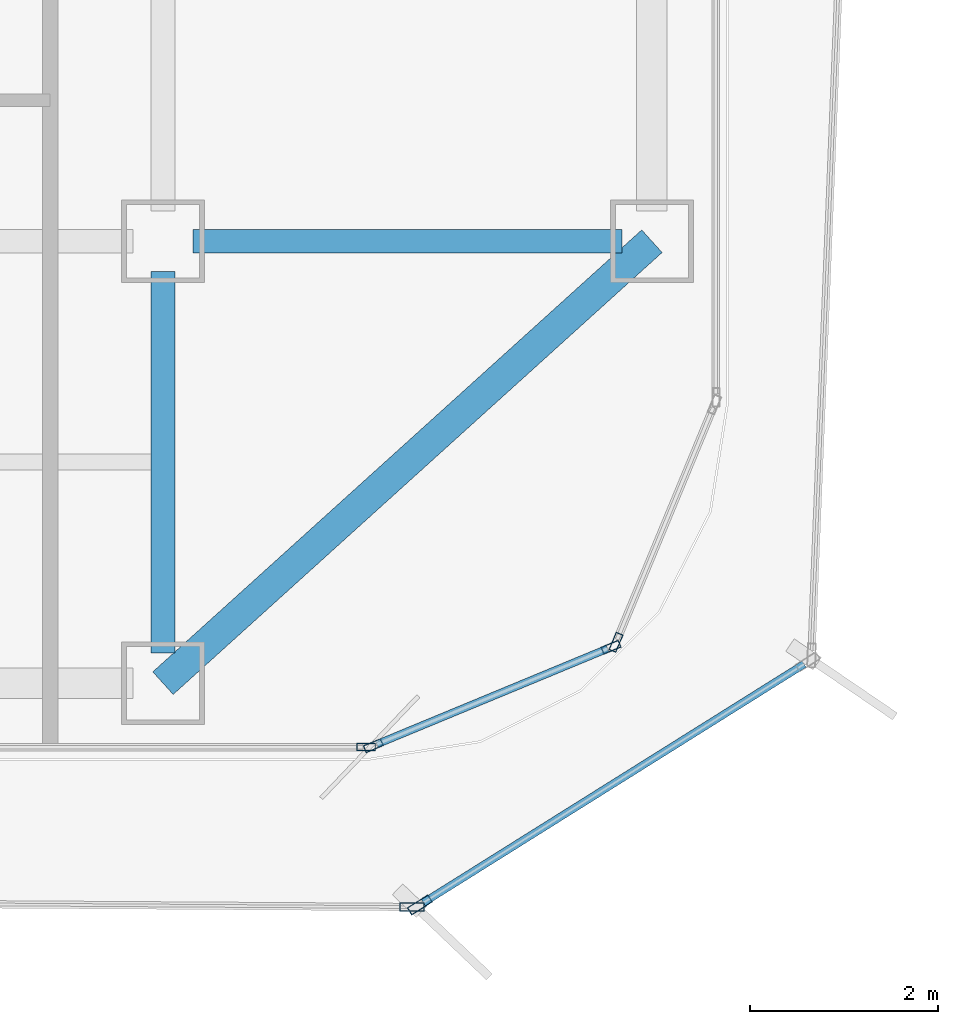
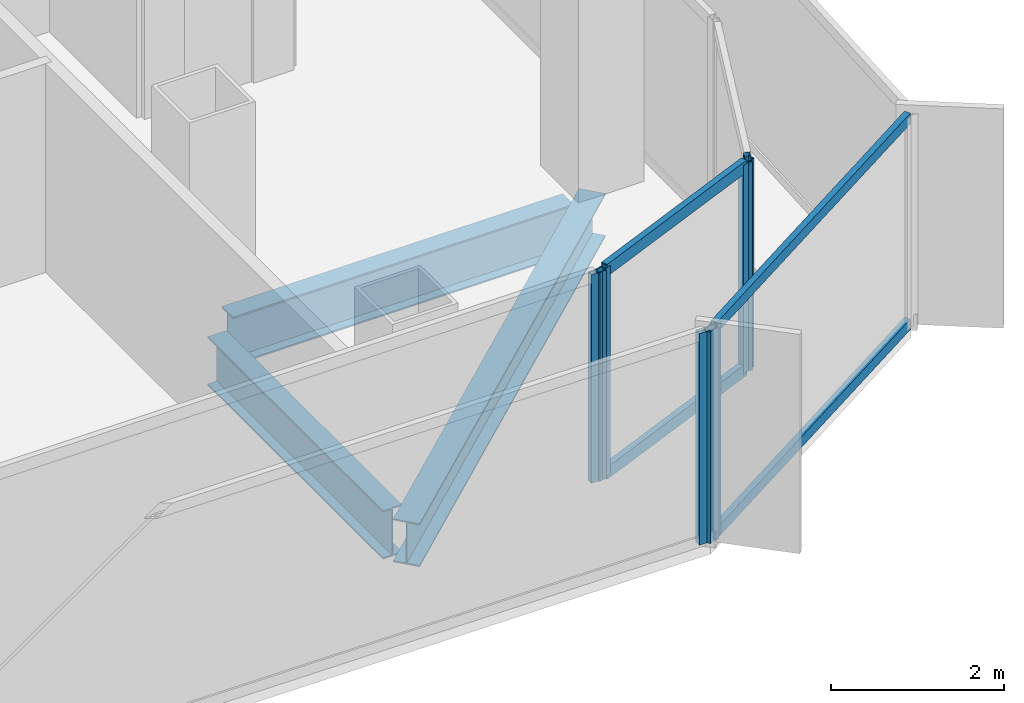
# One storey, part 6 of 21: 10 members, 3 beams, 5 elements without a shape of their own.
"""IFC4 building model written with IfcOpenShell, lengths in metres."""

from ifc_helpers import new_model, si_unit, direction, frame, origin, origin_2d, place, context, subcontext, project, spatial, hollow_rectangle, i_section, extrude, source, transform, mapped, material, layer, layer_set, material_profile, profile_set, type_object, element, aggregate, save


model = new_model("IFC4")

# Units and contexts
model_context = context("Model", 3, precision=1e-05, world=origin(), true_north=direction((0.0, 1.0)))
body_context = subcontext(model_context, "Body", "Model", "MODEL_VIEW")
ifc_project = project(units=[si_unit("LENGTHUNIT", "METRE"), si_unit("AREAUNIT", "SQUARE_METRE"), si_unit("VOLUMEUNIT", "CUBIC_METRE"), si_unit("PLANEANGLEUNIT", "RADIAN"), si_unit("MASSUNIT", "GRAM", prefix="KILO")], contexts=[model_context])

# Site, building, storey
site_placement = place(None, origin())
site = spatial("IfcSite", under=ifc_project, at=site_placement, CompositionType="ELEMENT")
building_placement = place(site_placement, origin())
building = spatial("IfcBuilding", under=site, at=building_placement, Name="Kolveth Station Tower", CompositionType="ELEMENT")
storey_placement = place(building_placement, frame((0.0, 0.0, 121.5)))
storey = spatial("IfcBuildingStorey", under=building, at=storey_placement, Name="L33", CompositionType="ELEMENT", Elevation=121.5)

# Beams
ifc_material_1 = material(Name="Steel S355", Category="steel")
ifc_material_profile_1 = material_profile(ifc_material_1, i_section(OverallWidth=0.323974609375, OverallDepth=0.611083984375, WebThickness=0.0126953125, FlangeThickness=0.01904296875, at=origin_2d()), Name="W610x155")
ifc_profile_set_1 = profile_set([ifc_material_profile_1], Name="Steel S355")
beam_type_1 = type_object("IfcBeamType", Name="Beam_SP2", PredefinedType="SPANDREL", material=ifc_profile_set_1)
shared_shape_1 = source(origin(), body_context, "Body", "SweptSolid", [
    extrude(i_section(OverallWidth=0.323974609375, OverallDepth=0.611083984375, WebThickness=0.0126953125, FlangeThickness=0.01904296875, at=origin_2d()), origin(), (0.0, 0.0, 1.0), 7.00927734375),
])
beam_1_placement = place(storey_placement, frame((41.0, 0.800048828125, -0.555419921875), z_axis=(0.741874009795, 0.670539300557, 0.0), x_axis=(-0.670539300557, 0.741874009795, 0.0)))
element("IfcBeam", 1, at=beam_1_placement, inside=storey, type_object=beam_type_1, Name="L33 Corner Edge Girder BM-L33-CNR-SE", PredefinedType="SPANDREL", context=body_context, shape_type="MappedRepresentation", body=[
    mapped(shared_shape_1, transform((0.0, 0.0, 0.0), x_axis=(1.0, 0.0, 0.0), y_axis=(0.0, 1.0, 0.0), z_axis=(0.0, 0.0, 1.0), scale=1.0)),
])
ifc_material_profile_2 = material_profile(ifc_material_1, i_section(OverallWidth=0.25390625, OverallDepth=0.68798828125, WebThickness=0.01318359375, FlangeThickness=0.02099609375, at=origin_2d()), Name="W690x152")
ifc_profile_set_2 = profile_set([ifc_material_profile_2], Name="Steel S355")
beam_type_2 = type_object("IfcBeamType", Name="Beam_B4", PredefinedType="BEAM", material=ifc_profile_set_2)
shared_shape_2 = source(origin(), body_context, "Body", "SweptSolid", [
    extrude(i_section(OverallWidth=0.25390625, OverallDepth=0.68798828125, WebThickness=0.01318359375, FlangeThickness=0.02099609375, at=origin_2d()), origin(), (0.0, 0.0, 1.0), 4.559814453125),
])
beam_2_placement = place(storey_placement, frame((41.320068359375, 5.5, -0.593994140625), z_axis=(1.0, 0.0, 0.0), x_axis=(0.0, 1.0, 0.0)))
element("IfcBeam", 2, at=beam_2_placement, inside=storey, type_object=beam_type_2, Name="L33 Primary Girder BM-L33-GY55-7", PredefinedType="BEAM", context=body_context, shape_type="MappedRepresentation", body=[
    mapped(shared_shape_2, transform((0.0, 0.0, 0.0), x_axis=(1.0, 0.0, 0.0), y_axis=(0.0, 1.0, 0.0), z_axis=(0.0, 0.0, 1.0), scale=1.0)),
])
shared_shape_3 = source(origin(), body_context, "Body", "SweptSolid", [
    extrude(i_section(OverallWidth=0.25390625, OverallDepth=0.68798828125, WebThickness=0.01318359375, FlangeThickness=0.02099609375, at=origin_2d()), origin(), (0.0, 0.0, 1.0), 4.059814453125),
])
beam_3_placement = place(storey_placement, frame((41.0, 1.1201171875, -0.593994140625), z_axis=(0.0, 1.0, 0.0), x_axis=(-1.0, 0.0, 0.0)))
element("IfcBeam", 3, at=beam_3_placement, inside=storey, type_object=beam_type_2, Name="L33 Primary Girder BM-L33-GX410-1", PredefinedType="BEAM", context=body_context, shape_type="MappedRepresentation", body=[
    mapped(shared_shape_3, transform((0.0, 0.0, 0.0), x_axis=(1.0, 0.0, 0.0), y_axis=(0.0, 1.0, 0.0), z_axis=(0.0, 0.0, 1.0), scale=1.0)),
])

# Curtain wall, members
ifc_material_2 = material(Name="Aluminium 6063-T6 and low-E dark glass", Category="aluminium")
ifc_layer_1 = layer(ifc_material_2, 0.18994140625)
ifc_layer_set_1 = layer_set([ifc_layer_1], Name="Aluminium 6063-T6 and low-E dark glass")
curtain_wall_type_1 = type_object("IfcCurtainWallType", Name="CurtainWall_CW-Z2", PredefinedType="NOTDEFINED", material=ifc_layer_set_1)
curtain_wall_1_placement = place(storey_placement, origin())
curtain_wall_1 = element("IfcCurtainWall", 4, at=curtain_wall_1_placement, inside=storey, type_object=curtain_wall_type_1, Name="L33 Inner Thermal Curtain Wall 1", PredefinedType="NOTDEFINED")
ifc_material_3 = material(Name="Black anodized aluminium 6063-T6", Category="aluminium")
ifc_material_profile_3 = material_profile(ifc_material_3, hollow_rectangle(XDim=0.080078125, YDim=0.199951171875, WallThickness=0.0048828125, at=origin_2d()), Name="ALU-80x200x5")
ifc_profile_set_3 = profile_set([ifc_material_profile_3], Name="Black anodized aluminium 6063-T6")
member_type_1 = type_object("IfcMemberType", Name="Mullion_ML2", PredefinedType="MULLION", material=ifc_profile_set_3)
shared_shape_4 = source(origin(), body_context, "Body", "SweptSolid", [
    extrude(hollow_rectangle(XDim=0.080078125, YDim=0.199951171875, WallThickness=0.0048828125, at=origin_2d()), origin(), (0.0, 0.0, 1.0), 2.949951171875),
])
member_1_placement = place(storey_placement, frame((43.237060546875, 0.13525390625, 0.0), z_axis=(0.0, 0.0, 1.0), x_axis=(-0.38266326998, 0.923887883787, 0.0)))
member_1 = element("IfcMember", 5, at=member_1_placement, type_object=member_type_1, Name="CW-Z2 mullion 1", PredefinedType="MULLION", context=body_context, shape_type="MappedRepresentation", body=[
    mapped(shared_shape_4, transform((0.0, 0.0, 0.0), x_axis=(1.0, 0.0, 0.0), y_axis=(0.0, 1.0, 0.0), z_axis=(0.0, 0.0, 1.0), scale=1.0)),
])
member_2_placement = place(storey_placement, frame((45.76513671875, 1.182373046875, 0.0), z_axis=(0.0, 0.0, 1.0), x_axis=(-0.38266326998, 0.923887883787, 0.0)))
member_2 = element("IfcMember", 6, at=member_2_placement, type_object=member_type_1, Name="CW-Z2 mullion 2", PredefinedType="MULLION", context=body_context, shape_type="MappedRepresentation", body=[
    mapped(shared_shape_4, transform((0.0, 0.0, 0.0), x_axis=(1.0, 0.0, 0.0), y_axis=(0.0, 1.0, 0.0), z_axis=(0.0, 0.0, 1.0), scale=1.0)),
])

# Curtain wall, member
curtain_wall_2_placement = place(storey_placement, origin())
curtain_wall_2 = element("IfcCurtainWall", 7, at=curtain_wall_2_placement, inside=storey, type_object=curtain_wall_type_1, Name="L33 Inner Thermal Curtain Wall 2", PredefinedType="NOTDEFINED")
member_3_placement = place(storey_placement, frame((45.817626953125, 1.23486328125, 0.0), z_axis=(0.0, 0.0, 1.0), x_axis=(-0.923887883787, 0.38266326998, 0.0)))
member_3 = element("IfcMember", 8, at=member_3_placement, type_object=member_type_1, Name="CW-Z2 mullion 1", PredefinedType="MULLION", context=body_context, shape_type="MappedRepresentation", body=[
    mapped(shared_shape_4, transform((0.0, 0.0, 0.0), x_axis=(1.0, 0.0, 0.0), y_axis=(0.0, 1.0, 0.0), z_axis=(0.0, 0.0, 1.0), scale=1.0)),
])
aggregate(curtain_wall_2, [member_3])

curtain_wall_3_placement = place(storey_placement, origin())
curtain_wall_3 = element("IfcCurtainWall", 9, at=curtain_wall_3_placement, inside=storey, type_object=curtain_wall_type_1, Name="L33 Inner Thermal Curtain Wall 12", PredefinedType="NOTDEFINED")
member_4_placement = place(storey_placement, frame((43.159912109375, 0.1201171875, 0.0), z_axis=(0.0, 0.0, 1.0), x_axis=(0.0, 1.0, 0.0)))
member_4 = element("IfcMember", 10, at=member_4_placement, type_object=member_type_1, Name="CW-Z2 mullion 3", PredefinedType="MULLION", context=body_context, shape_type="MappedRepresentation", body=[
    mapped(shared_shape_4, transform((0.0, 0.0, 0.0), x_axis=(1.0, 0.0, 0.0), y_axis=(0.0, 1.0, 0.0), z_axis=(0.0, 0.0, 1.0), scale=1.0)),
])
aggregate(curtain_wall_3, [member_4])

# Member
ifc_material_profile_4 = material_profile(ifc_material_3, hollow_rectangle(XDim=0.080078125, YDim=0.169921875, WallThickness=0.0048828125, at=origin_2d()), Name="ALU-80x170x5")
ifc_profile_set_4 = profile_set([ifc_material_profile_4], Name="Black anodized aluminium 6063-T6")
member_type_2 = type_object("IfcMemberType", Name="Transom_TR2", PredefinedType="USERDEFINED", material=ifc_profile_set_4)
shared_shape_5 = source(origin(), body_context, "Body", "SweptSolid", [
    extrude(hollow_rectangle(XDim=0.080078125, YDim=0.169921875, WallThickness=0.0048828125, at=origin_2d()), origin(), (0.0, 0.0, 1.0), 2.656494140625),
])
member_5_placement = place(storey_placement, frame((43.27392578125, 0.150634765625, 0.0400390625), z_axis=(0.923882422403, 0.382676455475, 0.0), x_axis=(-0.382676455475, 0.923882422403, 0.0)))
member_5 = element("IfcMember", 11, at=member_5_placement, type_object=member_type_2, Name="CW-Z2 transom 1.1", ObjectType="TRANSOM", PredefinedType="USERDEFINED", context=body_context, shape_type="MappedRepresentation", body=[
    mapped(shared_shape_5, transform((0.0, 0.0, 0.0), x_axis=(1.0, 0.0, 0.0), y_axis=(0.0, 1.0, 0.0), z_axis=(0.0, 0.0, 1.0), scale=1.0)),
])

member_6_placement = place(storey_placement, frame((43.27392578125, 0.150634765625, 2.909912109375), z_axis=(0.923882422403, 0.382676455475, 0.0), x_axis=(-0.382676455475, 0.923882422403, 0.0)))
member_6 = element("IfcMember", 12, at=member_6_placement, type_object=member_type_2, Name="CW-Z2 transom 1.2", ObjectType="TRANSOM", PredefinedType="USERDEFINED", context=body_context, shape_type="MappedRepresentation", body=[
    mapped(shared_shape_5, transform((0.0, 0.0, 0.0), x_axis=(1.0, 0.0, 0.0), y_axis=(0.0, 1.0, 0.0), z_axis=(0.0, 0.0, 1.0), scale=1.0)),
])

aggregate(curtain_wall_1, [member_1, member_2, member_5, member_6])

# Curtain wall, member
ifc_material_4 = material(Name="Black anodized aluminium 6063-T6 and dark solar glass", Category="aluminium")
ifc_layer_2 = layer(ifc_material_4, 0.159912109375)
ifc_layer_set_2 = layer_set([ifc_layer_2], Name="Black anodized aluminium 6063-T6 and dark solar glass")
curtain_wall_type_2 = type_object("IfcCurtainWallType", Name="OUTER SKIN CW-OS", PredefinedType="NOTDEFINED", material=ifc_layer_set_2)
curtain_wall_4_placement = place(storey_placement, origin())
curtain_wall_4 = element("IfcCurtainWall", 13, at=curtain_wall_4_placement, inside=storey, type_object=curtain_wall_type_2, Name="L33 Outer Ventilated Skin Curtain Wall 1", PredefinedType="NOTDEFINED")
ifc_material_profile_5 = material_profile(ifc_material_3, hollow_rectangle(XDim=0.090087890625, YDim=0.260009765625, WallThickness=0.0048828125, at=origin_2d()), Name="ALU-90x260x5")
ifc_profile_set_5 = profile_set([ifc_material_profile_5], Name="Black anodized aluminium 6063-T6")
member_type_3 = type_object("IfcMemberType", Name="FIN MULLION ML-OS", PredefinedType="MULLION", material=ifc_profile_set_5)
shared_shape_6 = source(origin(), body_context, "Body", "SweptSolid", [
    extrude(hollow_rectangle(XDim=0.090087890625, YDim=0.260009765625, WallThickness=0.0048828125, at=origin_2d()), origin(), (0.0, 0.0, 1.0), 2.989990234375),
])
member_7_placement = place(storey_placement, frame((43.7314453125, -1.558349609375, 0.0), z_axis=(0.0, 0.0, 1.0), x_axis=(-0.530935742658, 0.847412082265, 0.0)))
member_7 = element("IfcMember", 14, at=member_7_placement, type_object=member_type_3, Name="CW-OS mullion 1", PredefinedType="MULLION", context=body_context, shape_type="MappedRepresentation", body=[
    mapped(shared_shape_6, transform((0.0, 0.0, 0.0), x_axis=(1.0, 0.0, 0.0), y_axis=(0.0, 1.0, 0.0), z_axis=(0.0, 0.0, 1.0), scale=1.0)),
])

curtain_wall_5_placement = place(storey_placement, origin())
curtain_wall_5 = element("IfcCurtainWall", 15, at=curtain_wall_5_placement, inside=storey, type_object=curtain_wall_type_2, Name="L33 Outer Ventilated Skin Curtain Wall 8", PredefinedType="NOTDEFINED")
member_8_placement = place(storey_placement, frame((43.648193359375, -1.581787109375, 0.0), z_axis=(0.0, 0.0, 1.0), x_axis=(0.006473567399, 0.999979046243, 0.0)))
member_8 = element("IfcMember", 16, at=member_8_placement, type_object=member_type_3, Name="CW-OS mullion 2", PredefinedType="MULLION", context=body_context, shape_type="MappedRepresentation", body=[
    mapped(shared_shape_6, transform((0.0, 0.0, 0.0), x_axis=(1.0, 0.0, 0.0), y_axis=(0.0, 1.0, 0.0), z_axis=(0.0, 0.0, 1.0), scale=1.0)),
])
aggregate(curtain_wall_5, [member_8])

# Member
ifc_material_profile_6 = material_profile(ifc_material_3, hollow_rectangle(XDim=0.080078125, YDim=0.14990234375, WallThickness=0.0048828125, at=origin_2d()), Name="ALU-80x150x5")
ifc_profile_set_6 = profile_set([ifc_material_profile_6], Name="Black anodized aluminium 6063-T6")
member_type_4 = type_object("IfcMemberType", Name="Transom_TR-OS", PredefinedType="USERDEFINED", material=ifc_profile_set_6)
shared_shape_7 = source(origin(), body_context, "Body", "SweptSolid", [
    extrude(hollow_rectangle(XDim=0.080078125, YDim=0.14990234375, WallThickness=0.0048828125, at=origin_2d()), origin(), (0.0, 0.0, 1.0), 4.779052734375),
])
member_9_placement = place(storey_placement, frame((43.76953125, -1.534423828125, 0.0400390625), z_axis=(0.847412308154, 0.530935382122, 0.0), x_axis=(-0.530935382122, 0.847412308154, 0.0)))
member_9 = element("IfcMember", 17, at=member_9_placement, type_object=member_type_4, Name="CW-OS transom 1.1", ObjectType="TRANSOM", PredefinedType="USERDEFINED", context=body_context, shape_type="MappedRepresentation", body=[
    mapped(shared_shape_7, transform((0.0, 0.0, 0.0), x_axis=(1.0, 0.0, 0.0), y_axis=(0.0, 1.0, 0.0), z_axis=(0.0, 0.0, 1.0), scale=1.0)),
])

member_10_placement = place(storey_placement, frame((43.76953125, -1.534423828125, 2.949951171875), z_axis=(0.847412308154, 0.530935382122, 0.0), x_axis=(-0.530935382122, 0.847412308154, 0.0)))
member_10 = element("IfcMember", 18, at=member_10_placement, type_object=member_type_4, Name="CW-OS transom 1.2", ObjectType="TRANSOM", PredefinedType="USERDEFINED", context=body_context, shape_type="MappedRepresentation", body=[
    mapped(shared_shape_7, transform((0.0, 0.0, 0.0), x_axis=(1.0, 0.0, 0.0), y_axis=(0.0, 1.0, 0.0), z_axis=(0.0, 0.0, 1.0), scale=1.0)),
])

aggregate(curtain_wall_4, [member_7, member_9, member_10])

save(model, "model.ifc")
